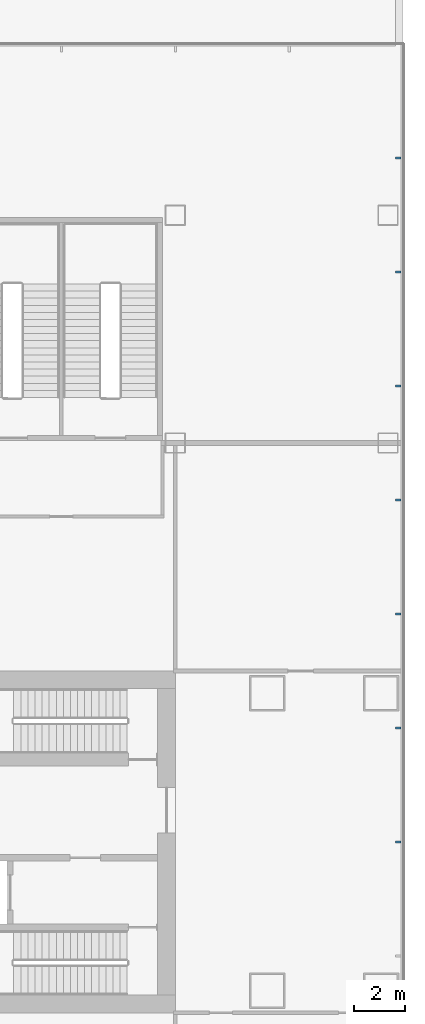
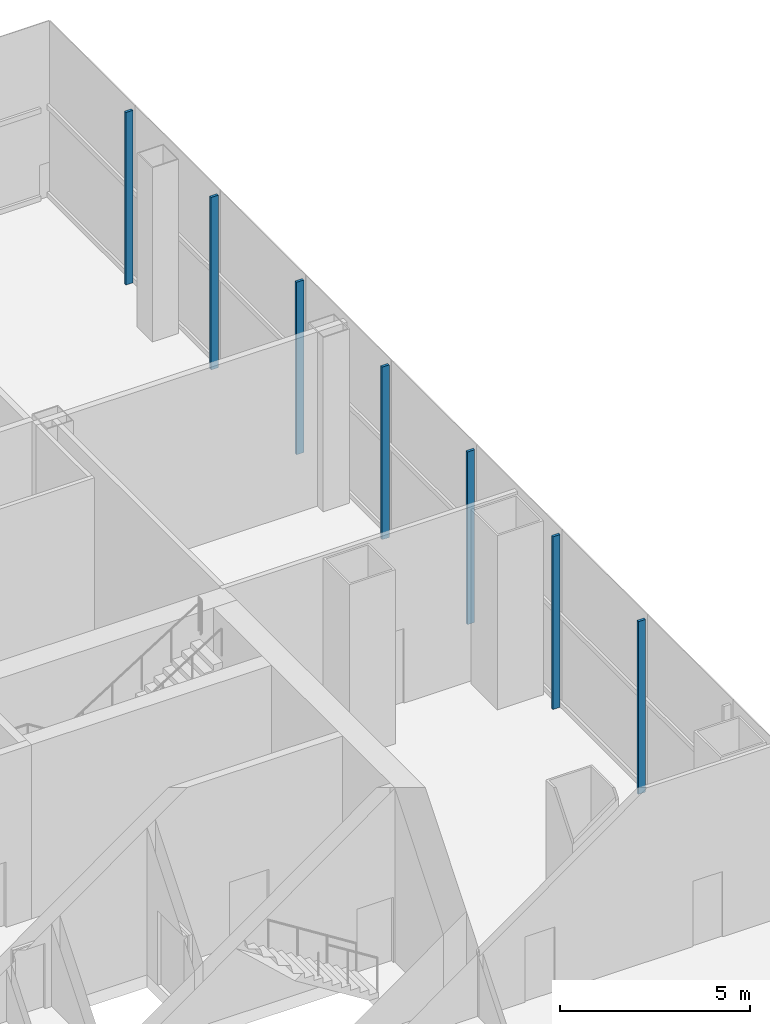
# One storey, part 18 of 38: 7 members, 1 element without a shape of its own.
"""IFC4 building model written with IfcOpenShell, lengths in metres."""

from ifc_helpers import new_model, si_unit, direction, frame, origin, origin_2d, place, context, subcontext, project, spatial, rectangle, extrude, material, layer, layer_set, material_profile, profile_set, type_object, element, aggregate, save


model = new_model("IFC4")

# Units and contexts
model_context = context("Model", 3, precision=1e-05, world=origin(), true_north=direction((0.0, 1.0)))
body_context = subcontext(model_context, "Body", "Model", "MODEL_VIEW")
ifc_project = project(units=[si_unit("LENGTHUNIT", "METRE"), si_unit("AREAUNIT", "SQUARE_METRE"), si_unit("VOLUMEUNIT", "CUBIC_METRE"), si_unit("PLANEANGLEUNIT", "RADIAN"), si_unit("MASSUNIT", "GRAM", prefix="KILO")], contexts=[model_context])

# Site, building, storey
site_placement = place(None, origin())
site = spatial("IfcSite", under=ifc_project, at=site_placement, CompositionType="ELEMENT")
building_placement = place(site_placement, origin())
building = spatial("IfcBuilding", under=site, at=building_placement, Name="Shamsa Quay Exchange Towers", CompositionType="ELEMENT")
storey_placement = place(building_placement, frame((0.0, 0.0, 12.5)))
storey = spatial("IfcBuildingStorey", under=building, at=storey_placement, Name="L02", CompositionType="ELEMENT", Elevation=12.5)

# Curtain wall, members
ifc_material = material(Name="Aluminium EN AW-6063 T6, black anodised", Category="aluminium")
ifc_layer = layer(ifc_material, 0.33203125)
ifc_layer_set = layer_set([ifc_layer], Name="CW-3 PODIUM SHOPFRONT GLAZING")
curtain_wall_type = type_object("IfcCurtainWallType", Name="CW-3 PODIUM SHOPFRONT GLAZING", PredefinedType="NOTDEFINED", material=ifc_layer_set)
curtain_wall_placement = place(storey_placement, origin())
curtain_wall = element("IfcCurtainWall", 1, at=curtain_wall_placement, inside=storey, type_object=curtain_wall_type, Name="CW3 PODIUM-L02-F00", PredefinedType="NOTDEFINED")
ifc_material_profile = material_profile(ifc_material, rectangle(XDim=0.219970703125, YDim=0.080078125, at=origin_2d()), Name="MU80x220")
ifc_profile_set = profile_set([ifc_material_profile], Name="Aluminium EN AW-6063 T6, black anodised")
member_type = type_object("IfcMemberType", Name="CW3 MULLION 80x220", PredefinedType="MULLION", material=ifc_profile_set)
member_1_placement = place(storey_placement, frame((62.81005859375, 0.0, 0.0), z_axis=(0.0, 0.0, 1.0), x_axis=(-1.0, 0.0, 0.0)))
member_1 = element("IfcMember", 2, at=member_1_placement, type_object=member_type, Name="CW3 mullion", PredefinedType="MULLION", context=body_context, shape_type="SweptSolid", body=[
    extrude(rectangle(XDim=0.219970703125, YDim=0.080078125, at=origin_2d()), origin(), (0.0, 0.0, 1.0), 5.550048828125),
])
member_2_placement = place(storey_placement, frame((62.81005859375, 4.5, 0.0), z_axis=(0.0, 0.0, 1.0), x_axis=(-1.0, 0.0, 0.0)))
member_2 = element("IfcMember", 3, at=member_2_placement, type_object=member_type, Name="CW3 mullion", PredefinedType="MULLION", context=body_context, shape_type="SweptSolid", body=[
    extrude(rectangle(XDim=0.219970703125, YDim=0.080078125, at=origin_2d()), origin(), (0.0, 0.0, 1.0), 5.550048828125),
])
member_3_placement = place(storey_placement, frame((62.81005859375, 9.0, 0.0), z_axis=(0.0, 0.0, 1.0), x_axis=(-1.0, 0.0, 0.0)))
member_3 = element("IfcMember", 4, at=member_3_placement, type_object=member_type, Name="CW3 mullion", PredefinedType="MULLION", context=body_context, shape_type="SweptSolid", body=[
    extrude(rectangle(XDim=0.219970703125, YDim=0.080078125, at=origin_2d()), origin(), (0.0, 0.0, 1.0), 5.550048828125),
])
member_4_placement = place(storey_placement, frame((62.81005859375, 13.5, 0.0), z_axis=(0.0, 0.0, 1.0), x_axis=(-1.0, 0.0, 0.0)))
member_4 = element("IfcMember", 5, at=member_4_placement, type_object=member_type, Name="CW3 mullion", PredefinedType="MULLION", context=body_context, shape_type="SweptSolid", body=[
    extrude(rectangle(XDim=0.219970703125, YDim=0.080078125, at=origin_2d()), origin(), (0.0, 0.0, 1.0), 5.550048828125),
])
member_5_placement = place(storey_placement, frame((62.81005859375, 18.0, 0.0), z_axis=(0.0, 0.0, 1.0), x_axis=(-1.0, 0.0, 0.0)))
member_5 = element("IfcMember", 6, at=member_5_placement, type_object=member_type, Name="CW3 mullion", PredefinedType="MULLION", context=body_context, shape_type="SweptSolid", body=[
    extrude(rectangle(XDim=0.219970703125, YDim=0.080078125, at=origin_2d()), origin(), (0.0, 0.0, 1.0), 5.550048828125),
])
member_6_placement = place(storey_placement, frame((62.81005859375, 22.5, 0.0), z_axis=(0.0, 0.0, 1.0), x_axis=(-1.0, 0.0, 0.0)))
member_6 = element("IfcMember", 7, at=member_6_placement, type_object=member_type, Name="CW3 mullion", PredefinedType="MULLION", context=body_context, shape_type="SweptSolid", body=[
    extrude(rectangle(XDim=0.219970703125, YDim=0.080078125, at=origin_2d()), origin(), (0.0, 0.0, 1.0), 5.550048828125),
])
member_7_placement = place(storey_placement, frame((62.81005859375, 27.0, 0.0), z_axis=(0.0, 0.0, 1.0), x_axis=(-1.0, 0.0, 0.0)))
member_7 = element("IfcMember", 8, at=member_7_placement, type_object=member_type, Name="CW3 mullion", PredefinedType="MULLION", context=body_context, shape_type="SweptSolid", body=[
    extrude(rectangle(XDim=0.219970703125, YDim=0.080078125, at=origin_2d()), origin(), (0.0, 0.0, 1.0), 5.550048828125),
])
aggregate(curtain_wall, [member_1, member_2, member_3, member_4, member_5, member_6, member_7])

save(model, "model.ifc")
